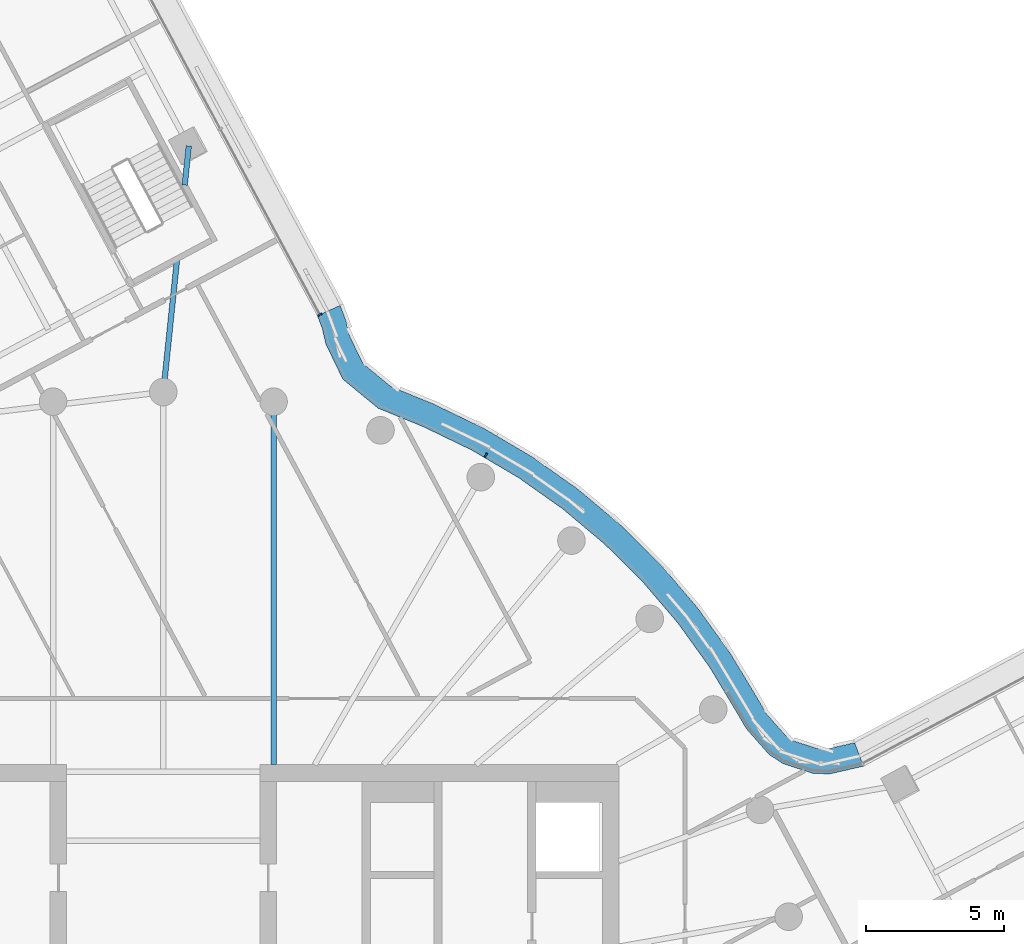
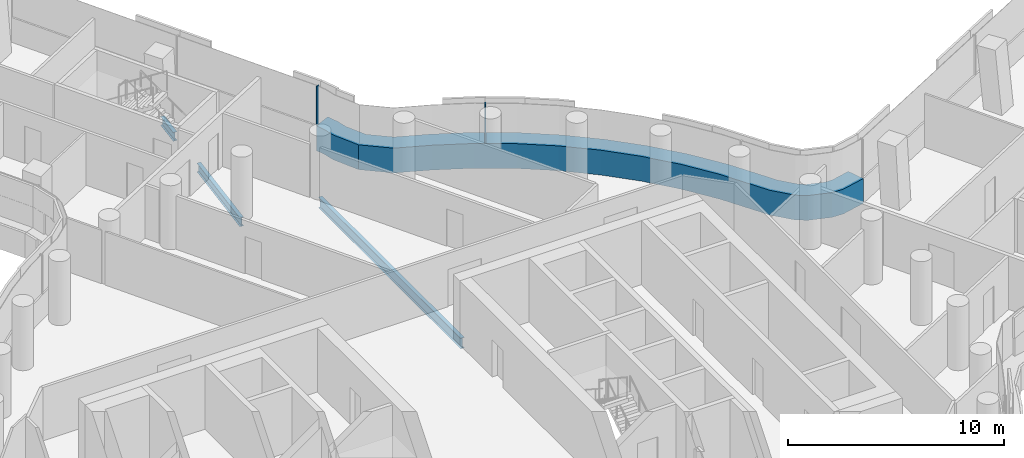
# One storey, part 14 of 33: 3 beams, 3 members, 2 elements without a shape of their own.
"""IFC4 building model written with IfcOpenShell, lengths in metres."""

from ifc_helpers import new_model, si_unit, direction, frame, origin, origin_2d, place, context, subcontext, project, spatial, polyline, rectangle, i_section, outline, extrude, material, layer, layer_set, material_profile, profile_set, type_object, element, aggregate, save


model = new_model("IFC4")

# Units and contexts
model_context = context("Model", 3, precision=1e-05, world=origin(), true_north=direction((0.0, 1.0)))
body_context = subcontext(model_context, "Body", "Model", "MODEL_VIEW")
ifc_project = project(units=[si_unit("LENGTHUNIT", "METRE"), si_unit("AREAUNIT", "SQUARE_METRE"), si_unit("VOLUMEUNIT", "CUBIC_METRE"), si_unit("PLANEANGLEUNIT", "RADIAN"), si_unit("MASSUNIT", "GRAM", prefix="KILO")], contexts=[model_context])

# Site, building, storey
site_placement = place(None, origin())
site = spatial("IfcSite", under=ifc_project, at=site_placement, CompositionType="ELEMENT")
building_placement = place(site_placement, origin())
building = spatial("IfcBuilding", under=site, at=building_placement, Name="Tamarind Cross Interchange Tower", CompositionType="ELEMENT")
storey_placement = place(building_placement, frame((0.0, 0.0, 136.75)))
storey = spatial("IfcBuildingStorey", under=building, at=storey_placement, Name="L33", CompositionType="ELEMENT", Elevation=136.75)

# Beams
ifc_material_1 = material(Name="Steel Q355B", Category="steel")
ifc_material_profile_1 = material_profile(ifc_material_1, i_section(OverallWidth=0.198974609375, OverallDepth=0.49609375, WebThickness=0.009033203125, FlangeThickness=0.013916015625, FilletRadius=0.012939453125, at=origin_2d()), Name="HN 496x199x9x14")
ifc_profile_set_1 = profile_set([ifc_material_profile_1], Name="Steel Q355B")
beam_type_1 = type_object("IfcBeamType", Name="Composite beam HN 496x199x9x14 Q355B", PredefinedType="BEAM", material=ifc_profile_set_1)
beam_1_placement = place(storey_placement, frame((0.92333984375, 31.9140625, -0.387939453125), z_axis=(-0.103062696518, -0.994674861744, 0.0), x_axis=(0.994674861744, -0.103062696518, 0.0)))
element("IfcBeam", 1, at=beam_1_placement, inside=storey, type_object=beam_type_1, Name="Beam N-linkemt0", PredefinedType="BEAM", context=body_context, shape_type="SweptSolid", body=[
    extrude(i_section(OverallWidth=0.198974609375, OverallDepth=0.49609375, WebThickness=0.009033203125, FlangeThickness=0.013916015625, FilletRadius=0.012939453125, at=origin_2d()), origin(), (0.0, 0.0, 1.0), 1.426025390625),
])
beam_2_placement = place(storey_placement, frame((0.500244140625, 27.828857421875, -0.387939453125), z_axis=(-0.10304327392, -0.994676874015, 0.0), x_axis=(0.994676874015, -0.10304327392, 0.0)))
element("IfcBeam", 2, at=beam_2_placement, inside=storey, type_object=beam_type_1, Name="Beam N-linkemt1", PredefinedType="BEAM", context=body_context, shape_type="SweptSolid", body=[
    extrude(i_section(OverallWidth=0.198974609375, OverallDepth=0.49609375, WebThickness=0.009033203125, FlangeThickness=0.013916015625, FilletRadius=0.012939453125, at=origin_2d()), origin(), (0.0, 0.0, 1.0), 4.854736328125),
])
ifc_material_profile_2 = material_profile(ifc_material_1, i_section(OverallWidth=0.198974609375, OverallDepth=0.595947265625, WebThickness=0.010009765625, FlangeThickness=0.014892578125, FilletRadius=0.012939453125, at=origin_2d()), Name="HN 596x199x10x15")
ifc_profile_set_2 = profile_set([ifc_material_profile_2], Name="Steel Q355B")
beam_type_2 = type_object("IfcBeamType", Name="Composite beam HN 596x199x10x15 Q355B", PredefinedType="BEAM", material=ifc_profile_set_2)
beam_3_placement = place(storey_placement, frame((3.993896484375, 22.650634765625, -0.43798828125), z_axis=(0.0, -1.0, 0.0), x_axis=(1.0, 0.0, 0.0)))
element("IfcBeam", 3, at=beam_3_placement, inside=storey, type_object=beam_type_2, Name="Beam HH08", PredefinedType="BEAM", context=body_context, shape_type="SweptSolid", body=[
    extrude(i_section(OverallWidth=0.198974609375, OverallDepth=0.595947265625, WebThickness=0.010009765625, FlangeThickness=0.014892578125, FilletRadius=0.012939453125, at=origin_2d()), origin(), (0.0, 0.0, 1.0), 13.150634765625),
])

# Curtain wall, members
ifc_material_2 = material(Name="Aluminium 6063-T6", Category="aluminium")
ifc_layer = layer(ifc_material_2, 0.159912109375)
ifc_layer_set = layer_set([ifc_layer], Name="Aluminium 6063-T6")
curtain_wall_type = type_object("IfcCurtainWallType", Name="Office curtain wall, 9.0 m bays", PredefinedType="NOTDEFINED", material=ifc_layer_set)
curtain_wall_1_placement = place(storey_placement, origin())
curtain_wall_1 = element("IfcCurtainWall", 4, at=curtain_wall_1_placement, inside=storey, type_object=curtain_wall_type, Name="CWS-L33-14", PredefinedType="NOTDEFINED")
ifc_material_3 = material(Name="Aluminium and insulated spandrel panel", Category="aluminium")
member_type_1 = type_object("IfcMemberType", Name="Floor-edge blade transom", PredefinedType="USERDEFINED", material=ifc_material_3)
member_1_placement = place(storey_placement, origin())
member_1 = element("IfcMember", 5, at=member_1_placement, type_object=member_type_1, Name="CWT-L33-14", ObjectType="TRANSOM", PredefinedType="USERDEFINED", context=body_context, shape_type="SweptSolid", body=[
    extrude(outline(polyline([(25.3603515625, 9.446044921875), (24.126220703125, 9.16455078125), (23.52587890625, 9.19091796875), (22.449462890625, 9.537841796875), (21.94677734375, 9.8671875), (21.116455078125, 10.80859375), (20.79638671875, 11.358642578125), (19.78125, 13.045654296875), (18.636474609375, 14.634521484375), (17.3642578125, 16.12353515625), (15.973388671875, 17.50244140625), (14.4736328125, 18.76171875), (12.874755859375, 19.892822265625), (11.188232421875, 20.88818359375), (9.422119140625, 21.741943359375), (7.778564453125, 22.415283203125), (6.505615234375, 23.461181640625), (5.890869140625, 24.732177734375), (5.75439453125, 25.31298828125), (5.583740234375, 25.764404296875), (6.40478515625, 26.137939453125), (6.6171875, 25.575927734375), (6.744140625, 25.03466796875), (7.229736328125, 24.031005859375), (8.2451171875, 23.19677734375), (9.788818359375, 22.564453125), (11.613525390625, 21.68212890625), (13.3642578125, 20.64892578125), (15.023681640625, 19.474853515625), (16.580810546875, 18.167724609375), (18.0244140625, 16.736572265625), (19.344970703125, 15.19091796875), (20.533203125, 13.54150390625), (21.57080078125, 11.817138671875), (21.849853515625, 11.337646484375), (22.54150390625, 10.553466796875), (22.84130859375, 10.357177734375), (23.6865234375, 10.084716796875), (24.04443359375, 10.069091796875), (25.04296875, 10.296875), (25.3603515625, 9.446044921875)])), origin(), (0.0, 0.0, 1.0), 1.39990234375),
])
ifc_material_profile_3 = material_profile(ifc_material_2, rectangle(XDim=0.06005859375, YDim=0.159912109375, at=origin_2d()), Name="Mullion CW1")
ifc_profile_set_3 = profile_set([ifc_material_profile_3], Name="Aluminium 6063-T6")
member_type_2 = type_object("IfcMemberType", Name="Mullion CW1", PredefinedType="MULLION", material=ifc_profile_set_3)
member_2_placement = place(storey_placement, frame((11.683349609375, 20.7119140625, 1.39990234375), z_axis=(0.0, 0.0, 1.0), x_axis=(-0.861248933065, 0.508183308752, 0.0)))
member_2 = element("IfcMember", 6, at=member_2_placement, type_object=member_type_2, Name="CWM-L33-14-02", PredefinedType="MULLION", context=body_context, shape_type="SweptSolid", body=[
    extrude(rectangle(XDim=0.06005859375, YDim=0.159912109375, at=origin_2d()), origin(), (0.0, 0.0, 1.0), 2.210205078125),
])
aggregate(curtain_wall_1, [member_2, member_1])

# Curtain wall, member
curtain_wall_2_placement = place(storey_placement, origin())
curtain_wall_2 = element("IfcCurtainWall", 7, at=curtain_wall_2_placement, inside=storey, type_object=curtain_wall_type, Name="CWS-L33-15", PredefinedType="NOTDEFINED")
member_3_placement = place(storey_placement, frame((5.675048828125, 25.805908203125, 1.39990234375), z_axis=(0.0, 0.0, 1.0), x_axis=(-0.414051514082, 0.910253450247, 0.0)))
member_3 = element("IfcMember", 8, at=member_3_placement, type_object=member_type_2, Name="CWM-L33-15-00", PredefinedType="MULLION", context=body_context, shape_type="SweptSolid", body=[
    extrude(rectangle(XDim=0.06005859375, YDim=0.159912109375, at=origin_2d()), origin(), (0.0, 0.0, 1.0), 2.210205078125),
])
aggregate(curtain_wall_2, [member_3])

save(model, "model.ifc")
